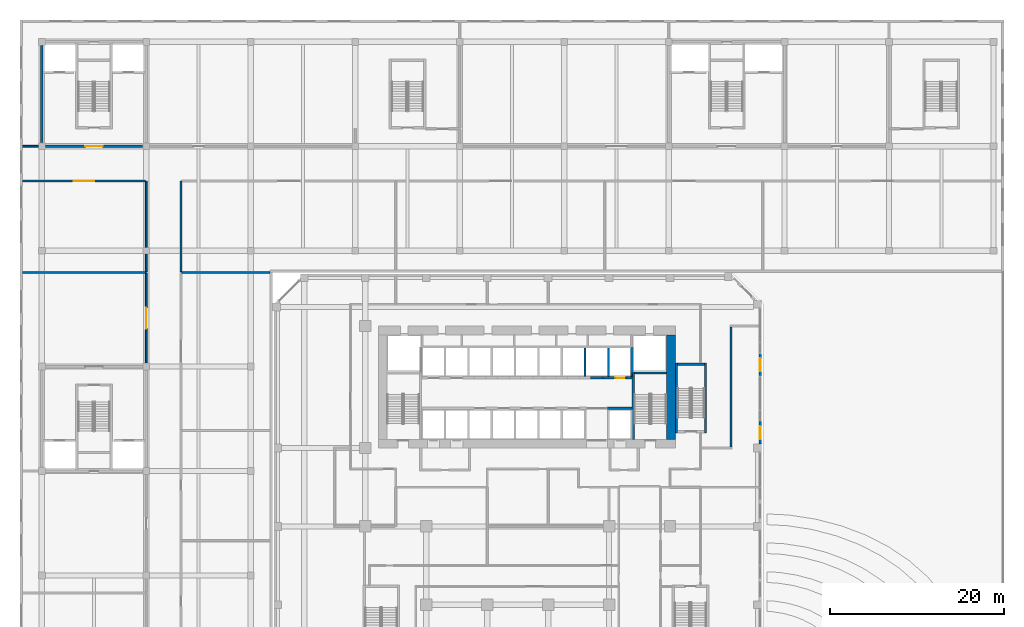
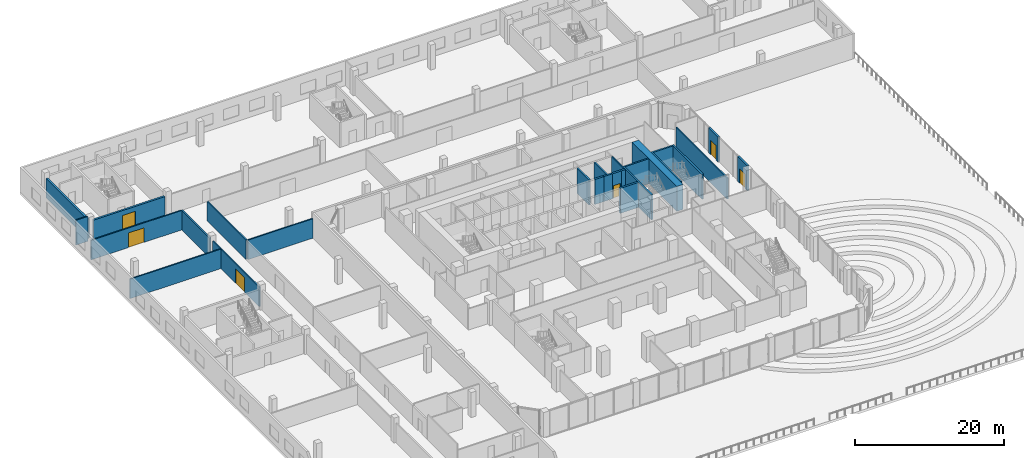
# One storey, part 24 of 38: 28 walls, 6 doors, 6 openings.
"""IFC4 building model written with IfcOpenShell, lengths in metres."""

from ifc_helpers import new_model, si_unit, direction, frame, frame_2d, origin, place, context, subcontext, project, spatial, rectangle, extrude, source, transform, mapped, material, layer, layer_set, type_object, element, fill, save


model = new_model("IFC4")

# Units and contexts
model_context = context("Model", 3, precision=1e-05, world=origin(), true_north=direction((0.0, 1.0)))
body_context = subcontext(model_context, "Body", "Model", "MODEL_VIEW")
ifc_project = project(units=[si_unit("LENGTHUNIT", "METRE"), si_unit("AREAUNIT", "SQUARE_METRE"), si_unit("VOLUMEUNIT", "CUBIC_METRE"), si_unit("PLANEANGLEUNIT", "RADIAN"), si_unit("MASSUNIT", "GRAM", prefix="KILO")], contexts=[model_context])

# Site, building, storey
site_placement = place(None, origin())
site = spatial("IfcSite", under=ifc_project, at=site_placement, CompositionType="ELEMENT")
building_placement = place(site_placement, origin())
building = spatial("IfcBuilding", under=site, at=building_placement, Name="Kilnfold Tower and Market Hall", CompositionType="ELEMENT")
storey_placement = place(building_placement, frame((0.0, 0.0, 9.0)))
storey = spatial("IfcBuildingStorey", under=building, at=storey_placement, Name="L01", CompositionType="ELEMENT", Elevation=9.0)

# Walls
ifc_material_1 = material(Name="Gypsum board on steel studs", Category="steel")
ifc_layer_1 = layer(ifc_material_1, 0.199951171875)
ifc_layer_set_1 = layer_set([ifc_layer_1], Name="Gypsum board on steel studs")
wall_type_1 = type_object("IfcWallType", Name="WALL PARTY 200", PredefinedType="PARTITIONING", material=ifc_layer_set_1)
wall_1_placement = place(storey_placement, frame((24.5, 8.10009765625, 0.0), z_axis=(0.0, 0.0, 1.0), x_axis=(0.0, 1.0, 0.0)))
element("IfcWall", 1, at=wall_1_placement, inside=storey, type_object=wall_type_1, Name="Partition LY02.59", PredefinedType="PARTITIONING", context=body_context, shape_type="SweptSolid", body=[
    extrude(rectangle(XDim=13.7998046875, YDim=0.199951171875, at=frame_2d((6.89990234375, 0.0))), origin(), (0.0, 0.0, 1.0), 3.449951171875),
])
ifc_material_2 = material(Name="Concrete C80", Category="concrete")
ifc_layer_2 = layer(ifc_material_2, 1.0)
ifc_layer_set_2 = layer_set([ifc_layer_2], Name="Concrete C80")
wall_type_2 = type_object("IfcWallType", Name="CORE WALL 1000 C80", PredefinedType="SHEAR", material=ifc_layer_set_2)
shared_shape_1 = source(origin(), body_context, "Body", "SweptSolid", [
    extrude(rectangle(XDim=12.0, YDim=1.0, at=frame_2d((6.0, 0.0))), origin(), (0.0, 0.0, 1.0), 4.10009765625),
])
wall_2_placement = place(storey_placement, frame((17.60009765625, 9.0, 0.0), z_axis=(0.0, 0.0, 1.0), x_axis=(0.0, 1.0, 0.0)))
element("IfcWall", 2, at=wall_2_placement, inside=storey, type_object=wall_type_2, Name="Core outer wall east", PredefinedType="SHEAR", context=body_context, shape_type="MappedRepresentation", body=[
    mapped(shared_shape_1, transform((0.0, 0.0, 0.0))),
])
ifc_material_3 = material(Name="Concrete C80", Category="concrete")
ifc_layer_3 = layer(ifc_material_3, 0.25)
ifc_layer_set_3 = layer_set([ifc_layer_3], Name="Concrete C80")
wall_type_3 = type_object("IfcWallType", Name="CORE WALL 250 C80", PredefinedType="SHEAR", material=ifc_layer_set_3)
shared_shape_2 = source(origin(), body_context, "Body", "SweptSolid", [
    extrude(rectangle(XDim=7.75, YDim=0.25, at=frame_2d((3.875, 0.0))), origin(), (0.0, 0.0, 1.0), 4.10009765625),
])
wall_3_placement = place(storey_placement, frame((13.27490234375, 9.0, 0.0), z_axis=(0.0, 0.0, 1.0), x_axis=(0.0, 1.0, 0.0)))
element("IfcWall", 3, at=wall_3_placement, inside=storey, type_object=wall_type_3, Name="Stair enclosure ST2", PredefinedType="SHEAR", context=body_context, shape_type="MappedRepresentation", body=[
    mapped(shared_shape_2, transform((0.0, 0.0, 0.0))),
])
shared_shape_3 = source(origin(), body_context, "Body", "SweptSolid", [
    extrude(rectangle(XDim=3.7001953125, YDim=0.25, at=frame_2d((1.85009765625, 0.0))), origin(), (0.0, 0.0, 1.0), 4.10009765625),
])
wall_4_placement = place(storey_placement, frame((13.39990234375, 16.625, 0.0), z_axis=(0.0, 0.0, 1.0), x_axis=(1.0, 0.0, 0.0)))
element("IfcWall", 4, at=wall_4_placement, inside=storey, type_object=wall_type_3, Name="Stair enclosure ST2", PredefinedType="SHEAR", context=body_context, shape_type="MappedRepresentation", body=[
    mapped(shared_shape_3, transform((0.0, 0.0, 0.0))),
])
shared_shape_4 = source(origin(), body_context, "Body", "SweptSolid", [
    extrude(rectangle(XDim=8.0, YDim=0.25, at=frame_2d((4.0, 0.0))), origin(), (0.0, 0.0, 1.0), 4.10009765625),
])
for number, where, z_axis, x_axis, name in (
    (5, (18.22509765625, 9.75, 0.0), (0.0, 0.0, 1.0), (0.0, 1.0, 0.0), "Stair enclosure ST5"),
    (6, (21.574951171875, 9.75, 0.0), (0.0, 0.0, 1.0), (0.0, 1.0, 0.0), "Stair enclosure ST5"),
):
    element("IfcWall", number, at=place(storey_placement, frame(where, z_axis=z_axis, x_axis=x_axis)), inside=storey, type_object=wall_type_3, Name=name, PredefinedType="SHEAR", context=body_context, shape_type="MappedRepresentation", body=[
        mapped(shared_shape_4, transform((0.0, 0.0, 0.0))),
    ])
shared_shape_5 = source(origin(), body_context, "Body", "SweptSolid", [
    extrude(rectangle(XDim=3.099853515625, YDim=0.25, at=frame_2d((1.5498046875, 0.0))), origin(), (0.0, 0.0, 1.0), 4.10009765625),
])
wall_5_placement = place(storey_placement, frame((18.35009765625, 17.625, 0.0), z_axis=(0.0, 0.0, 1.0), x_axis=(1.0, 0.0, 0.0)))
element("IfcWall", 7, at=wall_5_placement, inside=storey, type_object=wall_type_3, Name="Stair enclosure ST5", PredefinedType="SHEAR", context=body_context, shape_type="MappedRepresentation", body=[
    mapped(shared_shape_5, transform((0.0, 0.0, 0.0))),
])
ifc_material_4 = material(Name="Concrete C80", Category="concrete")
ifc_layer_4 = layer(ifc_material_4, 0.300048828125)
ifc_layer_set_4 = layer_set([ifc_layer_4], Name="Concrete C80")
wall_type_4 = type_object("IfcWallType", Name="CORE WALL 300 C80", PredefinedType="SHEAR", material=ifc_layer_set_4)
shared_shape_6 = source(origin(), body_context, "Body", "SweptSolid", [
    extrude(rectangle(XDim=2.820068359375, YDim=0.300048828125, at=frame_2d((1.41015625, 0.0))), origin(), (0.0, 0.0, 1.0), 4.10009765625),
])
wall_6_placement = place(storey_placement, frame((10.2900390625, 12.550048828125, 0.0), z_axis=(0.0, 0.0, 1.0), x_axis=(1.0, 0.0, 0.0)))
element("IfcWall", 8, at=wall_6_placement, inside=storey, type_object=wall_type_4, Name="Core spine wall", PredefinedType="SHEAR", context=body_context, shape_type="MappedRepresentation", body=[
    mapped(shared_shape_6, transform((0.0, 0.0, 0.0))),
])
shared_shape_7 = source(origin(), body_context, "Body", "SweptSolid", [
    extrude(rectangle(XDim=1.280029296875, YDim=0.300048828125, at=frame_2d((0.64013671875, 0.0))), origin(), (0.0, 0.0, 1.0), 4.10009765625),
])
wall_7_placement = place(storey_placement, frame((9.7900390625, 16.050048828125, 0.0), z_axis=(0.0, 0.0, 1.0), x_axis=(1.0, 0.0, 0.0)))
element("IfcWall", 9, at=wall_7_placement, inside=storey, type_object=wall_type_4, Name="Core spine wall", PredefinedType="SHEAR", context=body_context, shape_type="MappedRepresentation", body=[
    mapped(shared_shape_7, transform((0.0, 0.0, 0.0))),
])
shared_shape_8 = source(origin(), body_context, "Body", "SweptSolid", [
    extrude(rectangle(XDim=0.64013671875, YDim=0.300048828125, at=frame_2d((0.320068359375, 0.0))), origin(), (0.0, 0.0, 1.0), 4.10009765625),
])
wall_8_placement = place(storey_placement, frame((12.469970703125, 16.050048828125, 0.0), z_axis=(0.0, 0.0, 1.0), x_axis=(1.0, 0.0, 0.0)))
element("IfcWall", 10, at=wall_8_placement, inside=storey, type_object=wall_type_4, Name="Core spine wall", PredefinedType="SHEAR", context=body_context, shape_type="MappedRepresentation", body=[
    mapped(shared_shape_8, transform((0.0, 0.0, 0.0))),
])

# Wall, opening, door
ifc_material_5 = material(Name="Concrete C50/60", Category="concrete")
ifc_layer_5 = layer(ifc_material_5, 0.300048828125)
ifc_layer_set_5 = layer_set([ifc_layer_5], Name="Concrete C50/60")
wall_type_5 = type_object("IfcWallType", Name="HALL CORE WALL 300", PredefinedType="SHEAR", material=ifc_layer_set_5)
shared_shape_9 = source(origin(), body_context, "Body", "SweptSolid", [
    extrude(rectangle(XDim=11.099853515625, YDim=0.300048828125, at=frame_2d((5.5498046875, 0.0))), origin(), (0.0, 0.0, 1.0), 3.199951171875),
])
wall_9_placement = place(storey_placement, frame((-43.10009765625, 42.64990234375, 0.0), z_axis=(0.0, 0.0, 1.0), x_axis=(-1.0, 0.0, 0.0)))
wall_9 = element("IfcWall", 11, at=wall_9_placement, inside=storey, type_object=wall_type_5, Name="Core wall MH2", PredefinedType="SHEAR", context=body_context, shape_type="MappedRepresentation", body=[
    mapped(shared_shape_9, transform((0.0, 0.0, 0.0))),
])
opening_1_placement = place(wall_9_placement, frame((4.550048828125, 0.0, 0.0)))
opening_1 = element("IfcOpeningElement", 12, at=opening_1_placement, cuts=wall_9, Name="Opening MD10-60", PredefinedType="OPENING", context=body_context, shape_type="SweptSolid", body=[
    extrude(rectangle(XDim=2.0, YDim=2.39990234375, at=frame_2d((1.0, 1.199951171875))), frame((0.0, 0.16015625, 0.0), z_axis=(0.0, -1.0, 0.0), x_axis=(1.0, 0.0, 0.0)), (0.0, 0.0, 1.0), 0.320068359375),
])
ifc_material_6 = material(Name="Aluminium glazing", Category="aluminium")
door_type_1 = type_object("IfcDoorType", Name="HALL DOOR LOBBY 2000X2400 FD60", OperationType="NOTDEFINED", PredefinedType="DOOR", material=ifc_material_6)
door_1_placement = place(opening_1_placement, origin())
door_1 = element("IfcDoor", 13, at=door_1_placement, inside=storey, type_object=door_type_1, Name="Door MD10-60", OperationType="DOUBLE_DOOR_SINGLE_SWING", OverallHeight=2.39990234375, OverallWidth=2.0, PredefinedType="DOOR", context=body_context, shape_type="SweptSolid", body=[
    extrude(rectangle(XDim=2.0, YDim=2.39990234375, at=frame_2d((1.0, 1.199951171875))), frame((0.0, 0.02490234375, 0.0), z_axis=(0.0, -1.0, 0.0), x_axis=(1.0, 0.0, 0.0)), (0.0, 0.0, 1.0), 0.050048828125),
])
fill(opening_1, door_1)

# Wall
wall_10_placement = place(storey_placement, frame((-54.64990234375, 54.199951171875, 0.0), z_axis=(0.0, 0.0, 1.0), x_axis=(0.0, -1.0, 0.0)))
element("IfcWall", 14, at=wall_10_placement, inside=storey, type_object=wall_type_5, Name="Core wall MH2", PredefinedType="SHEAR", context=body_context, shape_type="MappedRepresentation", body=[
    mapped(shared_shape_9, transform((0.0, 0.0, 0.0))),
])

# Wall, opening, door
ifc_material_7 = material(Name="Precast concrete C50/60", Category="concrete")
ifc_layer_6 = layer(ifc_material_7, 0.300048828125)
ifc_layer_set_6 = layer_set([ifc_layer_6], Name="Precast concrete C50/60")
wall_type_6 = type_object("IfcWallType", Name="PRECAST WALL 300", PredefinedType="SOLIDWALL", material=ifc_layer_set_6)
shared_shape_10 = source(origin(), body_context, "Body", "SweptSolid", [
    extrude(rectangle(XDim=2.60009765625, YDim=0.300048828125, at=frame_2d((1.300048828125, 0.0))), origin(), (0.0, 0.0, 1.0), 4.10009765625),
])
wall_11_placement = place(storey_placement, frame((27.85009765625, 8.449951171875, 0.0), z_axis=(0.0, 0.0, 1.0), x_axis=(0.0, 1.0, 0.0)))
wall_11 = element("IfcWall", 15, at=wall_11_placement, inside=storey, type_object=wall_type_6, Name="Deck door wall L01 E", PredefinedType="SOLIDWALL", context=body_context, shape_type="MappedRepresentation", body=[
    mapped(shared_shape_10, transform((0.0, 0.0, 0.0))),
])
opening_2_placement = place(wall_11_placement, frame((0.550048828125, 0.0, 0.0)))
opening_2 = element("IfcOpeningElement", 16, at=opening_2_placement, cuts=wall_11, Name="Opening DD1", PredefinedType="OPENING", context=body_context, shape_type="SweptSolid", body=[
    extrude(rectangle(XDim=1.5, YDim=2.39990234375, at=frame_2d((0.75, 1.199951171875))), frame((0.0, 0.16015625, 0.0), z_axis=(0.0, -1.0, 0.0), x_axis=(1.0, 0.0, 0.0)), (0.0, 0.0, 1.0), 0.320068359375),
])
ifc_material_8 = material(Name="Aluminium frame and toughened glass", Category="aluminium")
door_type_2 = type_object("IfcDoorType", Name="DECK DOOR 1500X2400", OperationType="NOTDEFINED", PredefinedType="DOOR", material=ifc_material_8)
door_2_placement = place(opening_2_placement, origin())
door_2 = element("IfcDoor", 17, at=door_2_placement, inside=storey, type_object=door_type_2, Name="Garden deck door DD1 L01 E-1", OperationType="DOUBLE_DOOR_SINGLE_SWING", OverallHeight=2.39990234375, OverallWidth=1.5, PredefinedType="DOOR", context=body_context, shape_type="SweptSolid", body=[
    extrude(rectangle(XDim=1.5, YDim=2.39990234375, at=frame_2d((0.75, 1.199951171875))), frame((0.0, 0.02490234375, 0.0), z_axis=(0.0, -1.0, 0.0), x_axis=(1.0, 0.0, 0.0)), (0.0, 0.0, 1.0), 0.050048828125),
])
fill(opening_2, door_2)

wall_12_placement = place(storey_placement, frame((27.85009765625, 16.25, 0.0), z_axis=(0.0, 0.0, 1.0), x_axis=(0.0, 1.0, 0.0)))
wall_12 = element("IfcWall", 18, at=wall_12_placement, inside=storey, type_object=wall_type_6, Name="Deck door wall L01 E", PredefinedType="SOLIDWALL", context=body_context, shape_type="MappedRepresentation", body=[
    mapped(shared_shape_10, transform((0.0, 0.0, 0.0))),
])
opening_3_placement = place(wall_12_placement, frame((0.550048828125, 0.0, 0.0)))
opening_3 = element("IfcOpeningElement", 19, at=opening_3_placement, cuts=wall_12, Name="Opening DD1", PredefinedType="OPENING", context=body_context, shape_type="SweptSolid", body=[
    extrude(rectangle(XDim=1.5, YDim=2.39990234375, at=frame_2d((0.75, 1.199951171875))), frame((0.0, 0.16015625, 0.0), z_axis=(0.0, -1.0, 0.0), x_axis=(1.0, 0.0, 0.0)), (0.0, 0.0, 1.0), 0.320068359375),
])
door_3_placement = place(opening_3_placement, origin())
door_3 = element("IfcDoor", 20, at=door_3_placement, inside=storey, type_object=door_type_2, Name="Garden deck door DD1 L01 E-3", OperationType="DOUBLE_DOOR_SINGLE_SWING", OverallHeight=2.39990234375, OverallWidth=1.5, PredefinedType="DOOR", context=body_context, shape_type="SweptSolid", body=[
    extrude(rectangle(XDim=1.5, YDim=2.39990234375, at=frame_2d((0.75, 1.199951171875))), frame((0.0, 0.02490234375, 0.0), z_axis=(0.0, -1.0, 0.0), x_axis=(1.0, 0.0, 0.0)), (0.0, 0.0, 1.0), 0.050048828125),
])
fill(opening_3, door_3)

ifc_material_9 = material(Name="Gypsum shaft wall system")
ifc_layer_7 = layer(ifc_material_9, 0.300048828125)
ifc_layer_set_7 = layer_set([ifc_layer_7], Name="Gypsum shaft wall system")
wall_type_7 = type_object("IfcWallType", Name="SHAFT WALL 300", PredefinedType="PARTITIONING", material=ifc_layer_set_7)
shared_shape_11 = source(origin(), body_context, "Body", "SweptSolid", [
    extrude(rectangle(XDim=1.39990234375, YDim=0.300048828125, at=frame_2d((0.699951171875, 0.0))), origin(), (0.0, 0.0, 1.0), 4.10009765625),
])
wall_13_placement = place(storey_placement, frame((11.070068359375, 16.050048828125, 0.0), z_axis=(0.0, 0.0, 1.0), x_axis=(1.0, 0.0, 0.0)))
wall_13 = element("IfcWall", 21, at=wall_13_placement, inside=storey, type_object=wall_type_7, Name="Lift shaft front wall", PredefinedType="PARTITIONING", context=body_context, shape_type="MappedRepresentation", body=[
    mapped(shared_shape_11, transform((0.0, 0.0, 0.0))),
])
opening_4_placement = place(wall_13_placement, frame((0.14990234375, 0.0, 0.0)))
opening_4 = element("IfcOpeningElement", 22, at=opening_4_placement, cuts=wall_13, Name="Opening LD2", PredefinedType="OPENING", context=body_context, shape_type="SweptSolid", body=[
    extrude(rectangle(XDim=1.10009765625, YDim=2.10009765625, at=frame_2d((0.550048828125, 1.050048828125))), frame((0.0, 0.16015625, 0.0), z_axis=(0.0, -1.0, 0.0), x_axis=(1.0, 0.0, 0.0)), (0.0, 0.0, 1.0), 0.320068359375),
])
ifc_material_10 = material(Name="Steel door set with fire-resisting leaf", Category="steel")
door_type_3 = type_object("IfcDoorType", Name="LANDING DOOR 1100X2100", OperationType="NOTDEFINED", PredefinedType="DOOR", material=ifc_material_10)
door_4_placement = place(opening_4_placement, origin())
door_4 = element("IfcDoor", 23, at=door_4_placement, inside=storey, type_object=door_type_3, Name="Landing door LR6", OperationType="DOUBLE_DOOR_SLIDING", OverallHeight=2.10009765625, OverallWidth=1.10009765625, PredefinedType="DOOR", context=body_context, shape_type="SweptSolid", body=[
    extrude(rectangle(XDim=1.10009765625, YDim=2.10009765625, at=frame_2d((0.550048828125, 1.050048828125))), frame((0.0, 0.02490234375, 0.0), z_axis=(0.0, -1.0, 0.0), x_axis=(1.0, 0.0, 0.0)), (0.0, 0.0, 1.0), 0.050048828125),
])
fill(opening_4, door_4)

# Walls
shared_shape_12 = source(origin(), body_context, "Body", "SweptSolid", [
    extrude(rectangle(XDim=1.400146484375, YDim=0.300048828125, at=frame_2d((0.7001953125, 0.0))), origin(), (0.0, 0.0, 1.0), 4.10009765625),
])
wall_14_placement = place(storey_placement, frame((8.389892578125, 16.050048828125, 0.0), z_axis=(0.0, 0.0, 1.0), x_axis=(1.0, 0.0, 0.0)))
element("IfcWall", 24, at=wall_14_placement, inside=storey, type_object=wall_type_7, Name="Lift shaft front wall", PredefinedType="PARTITIONING", context=body_context, shape_type="MappedRepresentation", body=[
    mapped(shared_shape_12, transform((0.0, 0.0, 0.0))),
])
ifc_material_11 = material(Name="Gypsum shaft wall system")
ifc_layer_8 = layer(ifc_material_11, 0.1650390625)
ifc_layer_set_8 = layer_set([ifc_layer_8], Name="Gypsum shaft wall system")
wall_type_8 = type_object("IfcWallType", Name="SHAFT WALL 165", PredefinedType="PARTITIONING", material=ifc_layer_set_8)
shared_shape_13 = source(origin(), body_context, "Body", "SweptSolid", [
    extrude(rectangle(XDim=3.275146484375, YDim=0.1650390625, at=frame_2d((1.6376953125, 0.0))), origin(), (0.0, 0.0, 1.0), 4.10009765625),
])
wall_15_placement = place(storey_placement, frame((13.0673828125, 16.199951171875, 0.0), z_axis=(0.0, 0.0, 1.0), x_axis=(0.0, 1.0, 0.0)))
element("IfcWall", 25, at=wall_15_placement, inside=storey, type_object=wall_type_8, Name="Lift shaft wall", PredefinedType="PARTITIONING", context=body_context, shape_type="MappedRepresentation", body=[
    mapped(shared_shape_13, transform((0.0, 0.0, 0.0))),
])
ifc_material_12 = material(Name="Gypsum shaft wall system")
ifc_layer_9 = layer(ifc_material_12, 0.25)
ifc_layer_set_9 = layer_set([ifc_layer_9], Name="Gypsum shaft wall system")
wall_type_9 = type_object("IfcWallType", Name="SHAFT WALL 250", PredefinedType="PARTITIONING", material=ifc_layer_set_9)
shared_shape_14 = source(origin(), body_context, "Body", "SweptSolid", [
    extrude(rectangle(XDim=3.275146484375, YDim=0.25, at=frame_2d((1.6376953125, 0.0))), origin(), (0.0, 0.0, 1.0), 4.10009765625),
])
for number, where, z_axis, x_axis, name in (
    (26, (10.429931640625, 16.199951171875, 0.0), (0.0, 0.0, 1.0), (0.0, 1.0, 0.0), "Lift shaft wall"),
    (27, (7.75, 16.199951171875, 0.0), (0.0, 0.0, 1.0), (0.0, 1.0, 0.0), "Lift shaft wall"),
):
    element("IfcWall", number, at=place(storey_placement, frame(where, z_axis=z_axis, x_axis=x_axis)), inside=storey, type_object=wall_type_9, Name=name, PredefinedType="PARTITIONING", context=body_context, shape_type="MappedRepresentation", body=[
        mapped(shared_shape_14, transform((0.0, 0.0, 0.0))),
    ])
ifc_material_13 = material(Name="Gypsum shaft wall system")
ifc_layer_10 = layer(ifc_material_13, 0.0849609375)
ifc_layer_set_10 = layer_set([ifc_layer_10], Name="Gypsum shaft wall system")
wall_type_10 = type_object("IfcWallType", Name="SHAFT WALL 85", PredefinedType="PARTITIONING", material=ifc_layer_set_10)
shared_shape_15 = source(origin(), body_context, "Body", "SweptSolid", [
    extrude(rectangle(XDim=2.72509765625, YDim=0.0849609375, at=frame_2d((1.362548828125, 0.0))), origin(), (0.0, 0.0, 1.0), 4.10009765625),
])
wall_16_placement = place(storey_placement, frame((13.1923828125, 16.75, 0.0), z_axis=(0.0, 0.0, 1.0), x_axis=(0.0, 1.0, 0.0)))
element("IfcWall", 28, at=wall_16_placement, inside=storey, type_object=wall_type_10, Name="Lift shaft wall", PredefinedType="PARTITIONING", context=body_context, shape_type="MappedRepresentation", body=[
    mapped(shared_shape_15, transform((0.0, 0.0, 0.0))),
])
ifc_material_14 = material(Name="Concrete blockwork", Category="masonry")
ifc_layer_11 = layer(ifc_material_14, 0.199951171875)
ifc_layer_set_11 = layer_set([ifc_layer_11], Name="Concrete blockwork")
wall_type_11 = type_object("IfcWallType", Name="HALL PARTITION 200 EI 60", PredefinedType="PARTITIONING", material=ifc_layer_set_11)
shared_shape_16 = source(origin(), body_context, "Body", "SweptSolid", [
    extrude(rectangle(XDim=14.2001953125, YDim=0.199951171875, at=frame_2d((7.10009765625, 0.0))), origin(), (0.0, 0.0, 1.0), 3.199951171875),
])
wall_17_placement = place(storey_placement, frame((-56.85009765625, 28.14990234375, 0.0), z_axis=(0.0, 0.0, 1.0), x_axis=(1.0, 0.0, 0.0)))
element("IfcWall", 29, at=wall_17_placement, inside=storey, type_object=wall_type_11, Name="Partition W-MH-L01.4", PredefinedType="PARTITIONING", context=body_context, shape_type="MappedRepresentation", body=[
    mapped(shared_shape_16, transform((0.0, 0.0, 0.0))),
])
ifc_material_15 = material(Name="Concrete blockwork", Category="masonry")
ifc_layer_12 = layer(ifc_material_15, 0.199951171875)
ifc_layer_set_12 = layer_set([ifc_layer_12], Name="Concrete blockwork")
wall_type_12 = type_object("IfcWallType", Name="HALL PARTITION 200 EI 120", PredefinedType="PARTITIONING", material=ifc_layer_set_12)
shared_shape_17 = source(origin(), body_context, "Body", "SweptSolid", [
    extrude(rectangle(XDim=1.800048828125, YDim=0.199951171875, at=frame_2d((0.89990234375, 0.0))), origin(), (0.0, 0.0, 1.0), 4.10009765625),
])
wall_18_placement = place(storey_placement, frame((-56.85009765625, 42.64990234375, 0.0), z_axis=(0.0, 0.0, 1.0), x_axis=(1.0, 0.0, 0.0)))
element("IfcWall", 30, at=wall_18_placement, inside=storey, type_object=wall_type_12, Name="Partition W-MH-L01.5", PredefinedType="PARTITIONING", context=body_context, shape_type="MappedRepresentation", body=[
    mapped(shared_shape_17, transform((0.0, 0.0, 0.0))),
])

# Wall, opening, door
shared_shape_18 = source(origin(), body_context, "Body", "SweptSolid", [
    extrude(rectangle(XDim=10.300048828125, YDim=0.199951171875, at=frame_2d((5.14990234375, 0.0))), origin(), (0.0, 0.0, 1.0), 3.199951171875),
])
wall_19_placement = place(storey_placement, frame((-42.64990234375, 17.75, 0.0), z_axis=(0.0, 0.0, 1.0), x_axis=(0.0, 1.0, 0.0)))
wall_19 = element("IfcWall", 31, at=wall_19_placement, inside=storey, type_object=wall_type_11, Name="Partition W-MH-L01.11", PredefinedType="PARTITIONING", context=body_context, shape_type="MappedRepresentation", body=[
    mapped(shared_shape_18, transform((0.0, 0.0, 0.0))),
])
opening_5_placement = place(wall_19_placement, frame((3.949951171875, 0.0, 0.0)))
opening_5 = element("IfcOpeningElement", 32, at=opening_5_placement, cuts=wall_19, Name="Opening MD7-60", PredefinedType="OPENING", context=body_context, shape_type="SweptSolid", body=[
    extrude(rectangle(XDim=2.39990234375, YDim=2.39990234375, at=frame_2d((1.199951171875, 1.199951171875))), frame((0.0, 0.10986328125, 0.0), z_axis=(0.0, -1.0, 0.0), x_axis=(1.0, 0.0, 0.0)), (0.0, 0.0, 1.0), 0.219970703125),
])
ifc_material_16 = material(Name="Aluminium glazing", Category="aluminium")
door_type_4 = type_object("IfcDoorType", Name="HALL DOOR HALL 2400X2400 FD60", OperationType="NOTDEFINED", PredefinedType="DOOR", material=ifc_material_16)
door_5_placement = place(opening_5_placement, origin())
door_5 = element("IfcDoor", 33, at=door_5_placement, inside=storey, type_object=door_type_4, Name="Door MD7-60", OperationType="DOUBLE_DOOR_SINGLE_SWING", OverallHeight=2.39990234375, OverallWidth=2.39990234375, PredefinedType="DOOR", context=body_context, shape_type="SweptSolid", body=[
    extrude(rectangle(XDim=2.39990234375, YDim=2.39990234375, at=frame_2d((1.199951171875, 1.199951171875))), frame((0.0, 0.02490234375, 0.0), z_axis=(0.0, -1.0, 0.0), x_axis=(1.0, 0.0, 0.0)), (0.0, 0.0, 1.0), 0.050048828125),
])
fill(opening_5, door_5)

# Walls
shared_shape_19 = source(origin(), body_context, "Body", "SweptSolid", [
    extrude(rectangle(XDim=2.0, YDim=0.199951171875, at=frame_2d((1.0, 0.0))), origin(), (0.0, 0.0, 1.0), 3.199951171875),
])
wall_20_placement = place(storey_placement, frame((-42.64990234375, 28.25, 0.0), z_axis=(0.0, 0.0, 1.0), x_axis=(0.0, 1.0, 0.0)))
element("IfcWall", 34, at=wall_20_placement, inside=storey, type_object=wall_type_11, Name="Partition W-MH-L01.12", PredefinedType="PARTITIONING", context=body_context, shape_type="MappedRepresentation", body=[
    mapped(shared_shape_19, transform((0.0, 0.0, 0.0))),
])
shared_shape_20 = source(origin(), body_context, "Body", "SweptSolid", [
    extrude(rectangle(XDim=7.599853515625, YDim=0.199951171875, at=frame_2d((3.7998046875, 0.0))), origin(), (0.0, 0.0, 1.0), 3.199951171875),
])
wall_21_placement = place(storey_placement, frame((-42.64990234375, 31.050048828125, 0.0), z_axis=(0.0, 0.0, 1.0), x_axis=(0.0, 1.0, 0.0)))
element("IfcWall", 35, at=wall_21_placement, inside=storey, type_object=wall_type_11, Name="Partition W-MH-L01.13", PredefinedType="PARTITIONING", context=body_context, shape_type="MappedRepresentation", body=[
    mapped(shared_shape_20, transform((0.0, 0.0, 0.0))),
])

# Wall, opening, door
shared_shape_21 = source(origin(), body_context, "Body", "SweptSolid", [
    extrude(rectangle(XDim=14.10009765625, YDim=0.199951171875, at=frame_2d((7.050048828125, 0.0))), origin(), (0.0, 0.0, 1.0), 3.199951171875),
])
wall_22_placement = place(storey_placement, frame((-42.75, 38.64990234375, 0.0), z_axis=(0.0, 0.0, 1.0), x_axis=(-1.0, 0.0, 0.0)))
wall_22 = element("IfcWall", 36, at=wall_22_placement, inside=storey, type_object=wall_type_11, Name="Partition W-MH-L01.14", PredefinedType="PARTITIONING", context=body_context, shape_type="MappedRepresentation", body=[
    mapped(shared_shape_21, transform((0.0, 0.0, 0.0))),
])
opening_6_placement = place(wall_22_placement, frame((5.85009765625, 0.0, 0.0)))
opening_6 = element("IfcOpeningElement", 37, at=opening_6_placement, cuts=wall_22, Name="Opening MD7-60", PredefinedType="OPENING", context=body_context, shape_type="SweptSolid", body=[
    extrude(rectangle(XDim=2.39990234375, YDim=2.39990234375, at=frame_2d((1.199951171875, 1.199951171875))), frame((0.0, 0.10986328125, 0.0), z_axis=(0.0, -1.0, 0.0), x_axis=(1.0, 0.0, 0.0)), (0.0, 0.0, 1.0), 0.219970703125),
])
door_6_placement = place(opening_6_placement, origin())
door_6 = element("IfcDoor", 38, at=door_6_placement, inside=storey, type_object=door_type_4, Name="Door MD7-60", OperationType="DOUBLE_DOOR_SINGLE_SWING", OverallHeight=2.39990234375, OverallWidth=2.39990234375, PredefinedType="DOOR", context=body_context, shape_type="SweptSolid", body=[
    extrude(rectangle(XDim=2.39990234375, YDim=2.39990234375, at=frame_2d((1.199951171875, 1.199951171875))), frame((0.0, 0.02490234375, 0.0), z_axis=(0.0, -1.0, 0.0), x_axis=(1.0, 0.0, 0.0)), (0.0, 0.0, 1.0), 0.050048828125),
])
fill(opening_6, door_6)

# Walls
shared_shape_22 = source(origin(), body_context, "Body", "SweptSolid", [
    extrude(rectangle(XDim=10.10009765625, YDim=0.199951171875, at=frame_2d((5.050048828125, 0.0))), origin(), (0.0, 0.0, 1.0), 3.199951171875),
])
wall_23_placement = place(storey_placement, frame((-38.550048828125, 28.14990234375, 0.0), z_axis=(0.0, 0.0, 1.0), x_axis=(1.0, 0.0, 0.0)))
element("IfcWall", 39, at=wall_23_placement, inside=storey, type_object=wall_type_11, Name="Partition W-MH-L01.27", PredefinedType="PARTITIONING", context=body_context, shape_type="MappedRepresentation", body=[
    mapped(shared_shape_22, transform((0.0, 0.0, 0.0))),
])
shared_shape_23 = source(origin(), body_context, "Body", "SweptSolid", [
    extrude(rectangle(XDim=10.39990234375, YDim=0.199951171875, at=frame_2d((5.199951171875, 0.0))), origin(), (0.0, 0.0, 1.0), 3.199951171875),
])
wall_24_placement = place(storey_placement, frame((-38.64990234375, 38.64990234375, 0.0), z_axis=(0.0, 0.0, 1.0), x_axis=(0.0, -1.0, 0.0)))
element("IfcWall", 40, at=wall_24_placement, inside=storey, type_object=wall_type_11, Name="Partition W-MH-L01.28", PredefinedType="PARTITIONING", context=body_context, shape_type="MappedRepresentation", body=[
    mapped(shared_shape_23, transform((0.0, 0.0, 0.0))),
])

save(model, "model.ifc")
